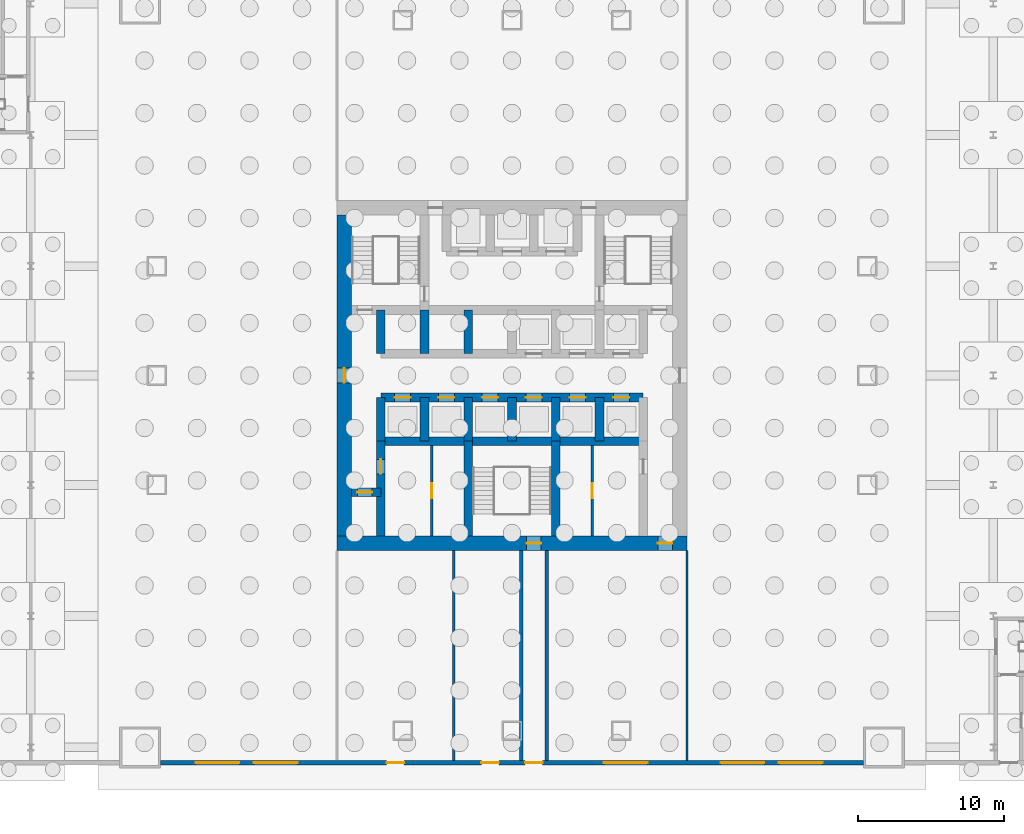
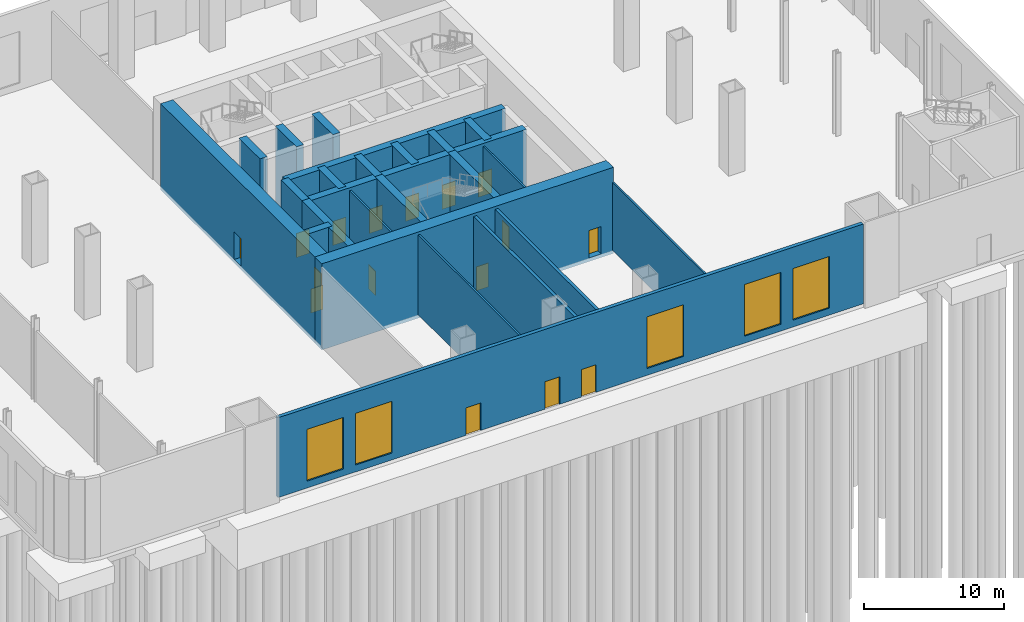
# One storey, part 4 of 10: 24 walls, 16 doors, 5 windows, 21 openings.
"""IFC4 building model written with IfcOpenShell, lengths in metres."""

from ifc_helpers import new_model, si_unit, direction, frame, frame_2d, origin, place, context, subcontext, project, spatial, rectangle, extrude, material, layer, layer_set, type_object, element, fill, save


model = new_model("IFC4")

# Units and contexts
model_context = context("Model", 3, precision=1e-05, world=origin(), true_north=direction((0.0, 1.0)))
body_context = subcontext(model_context, "Body", "Model", "MODEL_VIEW")
ifc_project = project(units=[si_unit("LENGTHUNIT", "METRE"), si_unit("AREAUNIT", "SQUARE_METRE"), si_unit("VOLUMEUNIT", "CUBIC_METRE"), si_unit("PLANEANGLEUNIT", "RADIAN"), si_unit("MASSUNIT", "GRAM", prefix="KILO")], contexts=[model_context])

# Site, building, storey
site_placement = place(None, origin())
site = spatial("IfcSite", under=ifc_project, at=site_placement, CompositionType="ELEMENT")
building_placement = place(site_placement, origin())
building = spatial("IfcBuilding", under=site, at=building_placement, Name="Tarangal Relay Tower", CompositionType="ELEMENT")
storey_placement = place(building_placement, origin())
storey = spatial("IfcBuildingStorey", under=building, at=storey_placement, Name="L00", CompositionType="ELEMENT", Elevation=0.0)

# Wall, openings, doors
ifc_material_1 = material(Name="Concrete fc' 60 MPa", Category="concrete")
ifc_layer_1 = layer(ifc_material_1, 0.60009765625)
ifc_layer_set_1 = layer_set([ifc_layer_1], Name="Core inner wall 600")
wall_type_1 = type_object("IfcWallType", Name="Core inner wall 600", PredefinedType="SHEAR", material=ifc_layer_set_1)
wall_1_placement = place(storey_placement, frame((-9.0, -1.5, -0.300048828125), z_axis=(0.0, 0.0, 1.0), x_axis=(1.0, 0.0, 0.0)))
wall_1 = element("IfcWall", 1, at=wall_1_placement, inside=storey, type_object=wall_type_1, Name="Core wall YM15 L00", PredefinedType="SHEAR", context=body_context, shape_type="SweptSolid", body=[
    extrude(rectangle(XDim=18.0, YDim=0.60009765625, at=frame_2d((9.0, 0.0))), origin(), (0.0, 0.0, 1.0), 7.5),
])
opening_1_placement = place(wall_1_placement, frame((0.949951171875, 0.0, 0.300048828125)))
opening_1 = element("IfcOpeningElement", 2, at=opening_1_placement, cuts=wall_1, Name="Opening LD1", PredefinedType="OPENING", context=body_context, shape_type="SweptSolid", body=[
    extrude(rectangle(XDim=1.10009765625, YDim=2.10009765625, at=frame_2d((0.550048828125, 1.050048828125))), frame((0.0, 0.31005859375, 0.0), z_axis=(0.0, -1.0, 0.0), x_axis=(1.0, 0.0, 0.0)), (0.0, 0.0, 1.0), 0.6201171875),
])
opening_2_placement = place(wall_1_placement, frame((3.949951171875, 0.0, 0.300048828125)))
opening_2 = element("IfcOpeningElement", 3, at=opening_2_placement, cuts=wall_1, Name="Opening LD1", PredefinedType="OPENING", context=body_context, shape_type="SweptSolid", body=[
    extrude(rectangle(XDim=1.10009765625, YDim=2.10009765625, at=frame_2d((0.550048828125, 1.050048828125))), frame((0.0, 0.31005859375, 0.0), z_axis=(0.0, -1.0, 0.0), x_axis=(1.0, 0.0, 0.0)), (0.0, 0.0, 1.0), 0.6201171875),
])
opening_3_placement = place(wall_1_placement, frame((6.949951171875, 0.0, 0.300048828125)))
opening_3 = element("IfcOpeningElement", 4, at=opening_3_placement, cuts=wall_1, Name="Opening LD1", PredefinedType="OPENING", context=body_context, shape_type="SweptSolid", body=[
    extrude(rectangle(XDim=1.10009765625, YDim=2.10009765625, at=frame_2d((0.550048828125, 1.050048828125))), frame((0.0, 0.31005859375, 0.0), z_axis=(0.0, -1.0, 0.0), x_axis=(1.0, 0.0, 0.0)), (0.0, 0.0, 1.0), 0.6201171875),
])
opening_4_placement = place(wall_1_placement, frame((9.949951171875, 0.0, 0.300048828125)))
opening_4 = element("IfcOpeningElement", 5, at=opening_4_placement, cuts=wall_1, Name="Opening LD1", PredefinedType="OPENING", context=body_context, shape_type="SweptSolid", body=[
    extrude(rectangle(XDim=1.10009765625, YDim=2.10009765625, at=frame_2d((0.550048828125, 1.050048828125))), frame((0.0, 0.31005859375, 0.0), z_axis=(0.0, -1.0, 0.0), x_axis=(1.0, 0.0, 0.0)), (0.0, 0.0, 1.0), 0.6201171875),
])
opening_5_placement = place(wall_1_placement, frame((12.949951171875, 0.0, 0.300048828125)))
opening_5 = element("IfcOpeningElement", 6, at=opening_5_placement, cuts=wall_1, Name="Opening LD1", PredefinedType="OPENING", context=body_context, shape_type="SweptSolid", body=[
    extrude(rectangle(XDim=1.10009765625, YDim=2.10009765625, at=frame_2d((0.550048828125, 1.050048828125))), frame((0.0, 0.31005859375, 0.0), z_axis=(0.0, -1.0, 0.0), x_axis=(1.0, 0.0, 0.0)), (0.0, 0.0, 1.0), 0.6201171875),
])
opening_6_placement = place(wall_1_placement, frame((15.949951171875, 0.0, 0.300048828125)))
opening_6 = element("IfcOpeningElement", 7, at=opening_6_placement, cuts=wall_1, Name="Opening LD1", PredefinedType="OPENING", context=body_context, shape_type="SweptSolid", body=[
    extrude(rectangle(XDim=1.10009765625, YDim=2.10009765625, at=frame_2d((0.550048828125, 1.050048828125))), frame((0.0, 0.31005859375, 0.0), z_axis=(0.0, -1.0, 0.0), x_axis=(1.0, 0.0, 0.0)), (0.0, 0.0, 1.0), 0.6201171875),
])
ifc_material_2 = material(Name="Steel door with hardwood frame", Category="steel")
door_type_1 = type_object("IfcDoorType", Name="Lift landing door 1100 x 2100", OperationType="SLIDING_TO_LEFT", PredefinedType="DOOR", material=ifc_material_2)
door_1_placement = place(opening_1_placement, origin())
door_1 = element("IfcDoor", 8, at=door_1_placement, inside=storey, type_object=door_type_1, Name="Lift S1 landing door L00", OperationType="SLIDING_TO_LEFT", OverallHeight=2.10009765625, OverallWidth=1.10009765625, PredefinedType="DOOR", context=body_context, shape_type="SweptSolid", body=[
    extrude(rectangle(XDim=1.10009765625, YDim=2.10009765625, at=frame_2d((0.550048828125, 1.050048828125))), frame((0.0, 0.02490234375, 0.0), z_axis=(0.0, -1.0, 0.0), x_axis=(1.0, 0.0, 0.0)), (0.0, 0.0, 1.0), 0.050048828125),
])
fill(opening_1, door_1)
door_2_placement = place(opening_2_placement, origin())
door_2 = element("IfcDoor", 9, at=door_2_placement, inside=storey, type_object=door_type_1, Name="Lift S2 landing door L00", OperationType="SLIDING_TO_LEFT", OverallHeight=2.10009765625, OverallWidth=1.10009765625, PredefinedType="DOOR", context=body_context, shape_type="SweptSolid", body=[
    extrude(rectangle(XDim=1.10009765625, YDim=2.10009765625, at=frame_2d((0.550048828125, 1.050048828125))), frame((0.0, 0.02490234375, 0.0), z_axis=(0.0, -1.0, 0.0), x_axis=(1.0, 0.0, 0.0)), (0.0, 0.0, 1.0), 0.050048828125),
])
fill(opening_2, door_2)
door_3_placement = place(opening_3_placement, origin())
door_3 = element("IfcDoor", 10, at=door_3_placement, inside=storey, type_object=door_type_1, Name="Lift S3 landing door L00", OperationType="SLIDING_TO_LEFT", OverallHeight=2.10009765625, OverallWidth=1.10009765625, PredefinedType="DOOR", context=body_context, shape_type="SweptSolid", body=[
    extrude(rectangle(XDim=1.10009765625, YDim=2.10009765625, at=frame_2d((0.550048828125, 1.050048828125))), frame((0.0, 0.02490234375, 0.0), z_axis=(0.0, -1.0, 0.0), x_axis=(1.0, 0.0, 0.0)), (0.0, 0.0, 1.0), 0.050048828125),
])
fill(opening_3, door_3)
door_4_placement = place(opening_4_placement, origin())
door_4 = element("IfcDoor", 11, at=door_4_placement, inside=storey, type_object=door_type_1, Name="Lift OH1 landing door L00", OperationType="SLIDING_TO_LEFT", OverallHeight=2.10009765625, OverallWidth=1.10009765625, PredefinedType="DOOR", context=body_context, shape_type="SweptSolid", body=[
    extrude(rectangle(XDim=1.10009765625, YDim=2.10009765625, at=frame_2d((0.550048828125, 1.050048828125))), frame((0.0, 0.02490234375, 0.0), z_axis=(0.0, -1.0, 0.0), x_axis=(1.0, 0.0, 0.0)), (0.0, 0.0, 1.0), 0.050048828125),
])
fill(opening_4, door_4)
door_5_placement = place(opening_5_placement, origin())
door_5 = element("IfcDoor", 12, at=door_5_placement, inside=storey, type_object=door_type_1, Name="Lift OH2 landing door L00", OperationType="SLIDING_TO_LEFT", OverallHeight=2.10009765625, OverallWidth=1.10009765625, PredefinedType="DOOR", context=body_context, shape_type="SweptSolid", body=[
    extrude(rectangle(XDim=1.10009765625, YDim=2.10009765625, at=frame_2d((0.550048828125, 1.050048828125))), frame((0.0, 0.02490234375, 0.0), z_axis=(0.0, -1.0, 0.0), x_axis=(1.0, 0.0, 0.0)), (0.0, 0.0, 1.0), 0.050048828125),
])
fill(opening_5, door_5)
door_6_placement = place(opening_6_placement, origin())
door_6 = element("IfcDoor", 13, at=door_6_placement, inside=storey, type_object=door_type_1, Name="Lift OH3 landing door L00", OperationType="SLIDING_TO_LEFT", OverallHeight=2.10009765625, OverallWidth=1.10009765625, PredefinedType="DOOR", context=body_context, shape_type="SweptSolid", body=[
    extrude(rectangle(XDim=1.10009765625, YDim=2.10009765625, at=frame_2d((0.550048828125, 1.050048828125))), frame((0.0, 0.02490234375, 0.0), z_axis=(0.0, -1.0, 0.0), x_axis=(1.0, 0.0, 0.0)), (0.0, 0.0, 1.0), 0.050048828125),
])
fill(opening_6, door_6)

# Wall
wall_2_placement = place(storey_placement, frame((-9.0, -4.5, -0.300048828125), z_axis=(0.0, 0.0, 1.0), x_axis=(1.0, 0.0, 0.0)))
element("IfcWall", 14, at=wall_2_placement, inside=storey, type_object=wall_type_1, Name="Core wall YM45 L00", PredefinedType="SHEAR", context=body_context, shape_type="SweptSolid", body=[
    extrude(rectangle(XDim=18.0, YDim=0.60009765625, at=frame_2d((9.0, 0.0))), origin(), (0.0, 0.0, 1.0), 7.5),
])

# Wall, opening, door
wall_3_placement = place(storey_placement, frame((-11.0, -8.0, -0.300048828125), z_axis=(0.0, 0.0, 1.0), x_axis=(1.0, 0.0, 0.0)))
wall_3 = element("IfcWall", 15, at=wall_3_placement, inside=storey, type_object=wall_type_1, Name="Core wall YM8 L00", PredefinedType="SHEAR", context=body_context, shape_type="SweptSolid", body=[
    extrude(rectangle(XDim=2.0, YDim=0.60009765625, at=frame_2d((1.0, 0.0))), origin(), (0.0, 0.0, 1.0), 7.5),
])
opening_7_placement = place(wall_3_placement, frame((0.39990234375, 0.0, 0.300048828125)))
opening_7 = element("IfcOpeningElement", 16, at=opening_7_placement, cuts=wall_3, Name="Opening D1", PredefinedType="OPENING", context=body_context, shape_type="SweptSolid", body=[
    extrude(rectangle(XDim=1.0, YDim=2.10009765625, at=frame_2d((0.5, 1.050048828125))), frame((0.0, 0.31005859375, 0.0), z_axis=(0.0, -1.0, 0.0), x_axis=(1.0, 0.0, 0.0)), (0.0, 0.0, 1.0), 0.6201171875),
])
ifc_material_3 = material(Name="Hardwood door", Category="wood")
door_type_2 = type_object("IfcDoorType", Name="WC door 1000 x 2100", OperationType="SINGLE_SWING_LEFT", PredefinedType="DOOR", material=ifc_material_3)
door_7_placement = place(opening_7_placement, origin())
door_7 = element("IfcDoor", 17, at=door_7_placement, inside=storey, type_object=door_type_2, Name="Accessible WC door L00", OperationType="SINGLE_SWING_LEFT", OverallHeight=2.10009765625, OverallWidth=1.0, PredefinedType="DOOR", context=body_context, shape_type="SweptSolid", body=[
    extrude(rectangle(XDim=1.0, YDim=2.10009765625, at=frame_2d((0.5, 1.050048828125))), frame((0.0, 0.02490234375, 0.0), z_axis=(0.0, -1.0, 0.0), x_axis=(1.0, 0.0, 0.0)), (0.0, 0.0, 1.0), 0.050048828125),
])
fill(opening_7, door_7)

# Walls
for number, where, z_axis, x_axis, name in (
    (18, (-9.0, 1.5, -0.300048828125), (0.0, 0.0, 1.0), (0.0, 1.0, 0.0), "Core wall XM9N L00"),
    (19, (-9.0, -4.5, -0.300048828125), (0.0, 0.0, 1.0), (0.0, 1.0, 0.0), "Core wall XM9S L00"),
    (20, (-6.0, 1.5, -0.300048828125), (0.0, 0.0, 1.0), (0.0, 1.0, 0.0), "Core wall XM6N L00"),
    (21, (-3.0, 1.5, -0.300048828125), (0.0, 0.0, 1.0), (0.0, 1.0, 0.0), "Core wall XM3N L00"),
    (22, (-6.0, -4.5, -0.300048828125), (0.0, 0.0, 1.0), (0.0, 1.0, 0.0), "Core wall XM6S L00"),
    (23, (-3.0, -4.5, -0.300048828125), (0.0, 0.0, 1.0), (0.0, 1.0, 0.0), "Core wall XM3S L00"),
    (24, (0.0, -4.5, -0.300048828125), (0.0, 0.0, 1.0), (0.0, 1.0, 0.0), "Core wall X0S L00"),
    (25, (3.0, -4.5, -0.300048828125), (0.0, 0.0, 1.0), (0.0, 1.0, 0.0), "Core wall X3S L00"),
    (26, (6.0, -4.5, -0.300048828125), (0.0, 0.0, 1.0), (0.0, 1.0, 0.0), "Core wall X6S L00"),
):
    element("IfcWall", number, at=place(storey_placement, frame(where, z_axis=z_axis, x_axis=x_axis)), inside=storey, type_object=wall_type_1, Name=name, PredefinedType="SHEAR", context=body_context, shape_type="SweptSolid", body=[
        extrude(rectangle(XDim=3.0, YDim=0.60009765625, at=frame_2d((1.5, 0.0))), origin(), (0.0, 0.0, 1.0), 7.5),
    ])

# Wall, opening, door
wall_4_placement = place(storey_placement, frame((-9.0, -11.0, -0.300048828125), z_axis=(0.0, 0.0, 1.0), x_axis=(0.0, 1.0, 0.0)))
wall_4 = element("IfcWall", 27, at=wall_4_placement, inside=storey, type_object=wall_type_1, Name="Core wall XM9W L00", PredefinedType="SHEAR", context=body_context, shape_type="SweptSolid", body=[
    extrude(rectangle(XDim=6.5, YDim=0.60009765625, at=frame_2d((3.25, 0.0))), origin(), (0.0, 0.0, 1.0), 7.5),
])
opening_8_placement = place(wall_4_placement, frame((4.25, 0.0, 0.300048828125)))
opening_8 = element("IfcOpeningElement", 28, at=opening_8_placement, cuts=wall_4, Name="Opening D1", PredefinedType="OPENING", context=body_context, shape_type="SweptSolid", body=[
    extrude(rectangle(XDim=1.0, YDim=2.10009765625, at=frame_2d((0.5, 1.050048828125))), frame((0.0, 0.31005859375, 0.0), z_axis=(0.0, -1.0, 0.0), x_axis=(1.0, 0.0, 0.0)), (0.0, 0.0, 1.0), 0.6201171875),
])
door_8_placement = place(opening_8_placement, origin())
door_8 = element("IfcDoor", 29, at=door_8_placement, inside=storey, type_object=door_type_2, Name="Male WC door L00", OperationType="SINGLE_SWING_LEFT", OverallHeight=2.10009765625, OverallWidth=1.0, PredefinedType="DOOR", context=body_context, shape_type="SweptSolid", body=[
    extrude(rectangle(XDim=1.0, YDim=2.10009765625, at=frame_2d((0.5, 1.050048828125))), frame((0.0, 0.02490234375, 0.0), z_axis=(0.0, -1.0, 0.0), x_axis=(1.0, 0.0, 0.0)), (0.0, 0.0, 1.0), 0.050048828125),
])
fill(opening_8, door_8)

# Walls
for number, where, z_axis, x_axis, name in (
    (30, (-3.0, -11.0, -0.300048828125), (0.0, 0.0, 1.0), (0.0, 1.0, 0.0), "Core wall XM3W L00"),
    (31, (3.0, -11.0, -0.300048828125), (0.0, 0.0, 1.0), (0.0, 1.0, 0.0), "Core wall X3W L00"),
):
    element("IfcWall", number, at=place(storey_placement, frame(where, z_axis=z_axis, x_axis=x_axis)), inside=storey, type_object=wall_type_1, Name=name, PredefinedType="SHEAR", context=body_context, shape_type="SweptSolid", body=[
        extrude(rectangle(XDim=6.5, YDim=0.60009765625, at=frame_2d((3.25, 0.0))), origin(), (0.0, 0.0, 1.0), 7.5),
    ])

# Wall, openings, doors
ifc_layer_2 = layer(ifc_material_1, 1.0)
ifc_layer_set_2 = layer_set([ifc_layer_2], Name="Core wall 1000")
wall_type_2 = type_object("IfcWallType", Name="Core wall 1000", PredefinedType="SHEAR", material=ifc_layer_set_2)
wall_5_placement = place(storey_placement, frame((12.0, -11.5, -0.300048828125), z_axis=(0.0, 0.0, 1.0), x_axis=(-1.0, 0.0, 0.0)))
wall_5 = element("IfcWall", 32, at=wall_5_placement, inside=storey, type_object=wall_type_2, Name="Core wall S L00", PredefinedType="SHEAR", context=body_context, shape_type="SweptSolid", body=[
    extrude(rectangle(XDim=24.0, YDim=1.0, at=frame_2d((12.0, 0.0))), origin(), (0.0, 0.0, 1.0), 7.5),
])
opening_9_placement = place(wall_5_placement, frame((10.0, 0.0, 0.300048828125)))
opening_9 = element("IfcOpeningElement", 33, at=opening_9_placement, cuts=wall_5, Name="Opening FD1", PredefinedType="OPENING", context=body_context, shape_type="SweptSolid", body=[
    extrude(rectangle(XDim=1.0, YDim=2.10009765625, at=frame_2d((0.5, 1.050048828125))), frame((0.0, 0.510009765625, 0.0), z_axis=(0.0, -1.0, 0.0), x_axis=(1.0, 0.0, 0.0)), (0.0, 0.0, 1.0), 1.02001953125),
])
opening_10_placement = place(wall_5_placement, frame((1.0, 0.0, 0.300048828125)))
opening_10 = element("IfcOpeningElement", 34, at=opening_10_placement, cuts=wall_5, Name="Opening FD3", PredefinedType="OPENING", context=body_context, shape_type="SweptSolid", body=[
    extrude(rectangle(XDim=1.0, YDim=2.39990234375, at=frame_2d((0.5, 1.199951171875))), frame((0.0, 0.510009765625, 0.0), z_axis=(0.0, -1.0, 0.0), x_axis=(1.0, 0.0, 0.0)), (0.0, 0.0, 1.0), 1.02001953125),
])
door_type_3 = type_object("IfcDoorType", Name="Fire door 1000 x 2100", OperationType="SINGLE_SWING_LEFT", PredefinedType="DOOR", material=ifc_material_2)
door_9_placement = place(opening_9_placement, origin())
door_9 = element("IfcDoor", 35, at=door_9_placement, inside=storey, type_object=door_type_3, Name="Stair ST-C door L00", OperationType="SINGLE_SWING_LEFT", OverallHeight=2.10009765625, OverallWidth=1.0, PredefinedType="DOOR", context=body_context, shape_type="SweptSolid", body=[
    extrude(rectangle(XDim=1.0, YDim=2.10009765625, at=frame_2d((0.5, 1.050048828125))), frame((0.0, 0.02490234375, 0.0), z_axis=(0.0, -1.0, 0.0), x_axis=(1.0, 0.0, 0.0)), (0.0, 0.0, 1.0), 0.050048828125),
])
fill(opening_9, door_9)
door_type_4 = type_object("IfcDoorType", Name="Fire door 1000 x 2400 core entry", OperationType="SINGLE_SWING_RIGHT", PredefinedType="DOOR", material=ifc_material_2)
door_10_placement = place(opening_10_placement, origin())
door_10 = element("IfcDoor", 36, at=door_10_placement, inside=storey, type_object=door_type_4, Name="Core entry door south east L00", OperationType="SINGLE_SWING_RIGHT", OverallHeight=2.39990234375, OverallWidth=1.0, PredefinedType="DOOR", context=body_context, shape_type="SweptSolid", body=[
    extrude(rectangle(XDim=1.0, YDim=2.39990234375, at=frame_2d((0.5, 1.199951171875))), frame((0.0, 0.02490234375, 0.0), z_axis=(0.0, -1.0, 0.0), x_axis=(1.0, 0.0, 0.0)), (0.0, 0.0, 1.0), 0.050048828125),
])
fill(opening_10, door_10)

# Wall, opening, door
wall_6_placement = place(storey_placement, frame((-11.5, -11.0, -0.300048828125), z_axis=(0.0, 0.0, 1.0), x_axis=(0.0, 1.0, 0.0)))
wall_6 = element("IfcWall", 37, at=wall_6_placement, inside=storey, type_object=wall_type_2, Name="Core wall W L00", PredefinedType="SHEAR", context=body_context, shape_type="SweptSolid", body=[
    extrude(rectangle(XDim=22.0, YDim=1.0, at=frame_2d((11.0, 0.0))), origin(), (0.0, 0.0, 1.0), 7.5),
])
opening_11_placement = place(wall_6_placement, frame((10.5, 0.0, 0.300048828125)))
opening_11 = element("IfcOpeningElement", 38, at=opening_11_placement, cuts=wall_6, Name="Opening FD3", PredefinedType="OPENING", context=body_context, shape_type="SweptSolid", body=[
    extrude(rectangle(XDim=1.0, YDim=2.39990234375, at=frame_2d((0.5, 1.199951171875))), frame((0.0, 0.510009765625, 0.0), z_axis=(0.0, -1.0, 0.0), x_axis=(1.0, 0.0, 0.0)), (0.0, 0.0, 1.0), 1.02001953125),
])
door_11_placement = place(opening_11_placement, origin())
door_11 = element("IfcDoor", 39, at=door_11_placement, inside=storey, type_object=door_type_4, Name="Core entry door west L00", OperationType="SINGLE_SWING_RIGHT", OverallHeight=2.39990234375, OverallWidth=1.0, PredefinedType="DOOR", context=body_context, shape_type="SweptSolid", body=[
    extrude(rectangle(XDim=1.0, YDim=2.39990234375, at=frame_2d((0.5, 1.199951171875))), frame((0.0, 0.02490234375, 0.0), z_axis=(0.0, -1.0, 0.0), x_axis=(1.0, 0.0, 0.0)), (0.0, 0.0, 1.0), 0.050048828125),
])
fill(opening_11, door_11)

# Walls
ifc_material_4 = material(Name="Gypsum board on steel studs", Category="steel")
ifc_layer_3 = layer(ifc_material_4, 0.14990234375)
ifc_layer_set_3 = layer_set([ifc_layer_3], Name="Partition 150")
wall_type_3 = type_object("IfcWallType", Name="Partition 150", PredefinedType="PARTITIONING", material=ifc_layer_set_3)
wall_7_placement = place(storey_placement, frame((12.0, -12.0, 0.0), z_axis=(0.0, 0.0, 1.0), x_axis=(0.0, -1.0, 0.0)))
element("IfcWall", 40, at=wall_7_placement, inside=storey, type_object=wall_type_3, Name="Partition PT1 L00", PredefinedType="PARTITIONING", context=body_context, shape_type="SweptSolid", body=[
    extrude(rectangle(XDim=14.39990234375, YDim=0.14990234375, at=frame_2d((7.199951171875, 0.0))), origin(), (0.0, 0.0, 1.0), 5.90869140625),
])
wall_8_placement = place(storey_placement, frame((-4.0, -12.0, 0.0), z_axis=(0.0, 0.0, 1.0), x_axis=(0.0, -1.0, 0.0)))
element("IfcWall", 41, at=wall_8_placement, inside=storey, type_object=wall_type_3, Name="Partition PT1 L00", PredefinedType="PARTITIONING", context=body_context, shape_type="SweptSolid", body=[
    extrude(rectangle(XDim=14.39990234375, YDim=0.14990234375, at=frame_2d((7.199951171875, 0.0))), origin(), (0.0, 0.0, 1.0), 6.949951171875),
])

# Wall, opening, door
wall_9_placement = place(storey_placement, frame((-5.5, -11.0, 0.0), z_axis=(0.0, 0.0, 1.0), x_axis=(0.0, 1.0, 0.0)))
wall_9 = element("IfcWall", 42, at=wall_9_placement, inside=storey, type_object=wall_type_3, Name="Partition PT1 L00", PredefinedType="PARTITIONING", context=body_context, shape_type="SweptSolid", body=[
    extrude(rectangle(XDim=6.199951171875, YDim=0.14990234375, at=frame_2d((3.10009765625, 0.0))), origin(), (0.0, 0.0, 1.0), 6.949951171875),
])
opening_12_placement = place(wall_9_placement, frame((2.60009765625, 0.0, 0.0)))
opening_12 = element("IfcOpeningElement", 43, at=opening_12_placement, cuts=wall_9, Name="Opening D1", PredefinedType="OPENING", context=body_context, shape_type="SweptSolid", body=[
    extrude(rectangle(XDim=1.0, YDim=2.10009765625, at=frame_2d((0.5, 1.050048828125))), frame((0.0, 0.0849609375, 0.0), z_axis=(0.0, -1.0, 0.0), x_axis=(1.0, 0.0, 0.0)), (0.0, 0.0, 1.0), 0.169921875),
])
door_12_placement = place(opening_12_placement, origin())
door_12 = element("IfcDoor", 44, at=door_12_placement, inside=storey, type_object=door_type_2, Name="Door D1 to male shower and changing room L00-C7B", OperationType="SINGLE_SWING_LEFT", OverallHeight=2.10009765625, OverallWidth=1.0, PredefinedType="DOOR", context=body_context, shape_type="SweptSolid", body=[
    extrude(rectangle(XDim=1.0, YDim=2.10009765625, at=frame_2d((0.5, 1.050048828125))), frame((0.0, 0.02490234375, 0.0), z_axis=(0.0, -1.0, 0.0), x_axis=(1.0, 0.0, 0.0)), (0.0, 0.0, 1.0), 0.050048828125),
])
fill(opening_12, door_12)

wall_10_placement = place(storey_placement, frame((5.5, -11.0, 0.0), z_axis=(0.0, 0.0, 1.0), x_axis=(0.0, 1.0, 0.0)))
wall_10 = element("IfcWall", 45, at=wall_10_placement, inside=storey, type_object=wall_type_3, Name="Partition PT1 L00", PredefinedType="PARTITIONING", context=body_context, shape_type="SweptSolid", body=[
    extrude(rectangle(XDim=6.199951171875, YDim=0.14990234375, at=frame_2d((3.10009765625, 0.0))), origin(), (0.0, 0.0, 1.0), 6.949951171875),
])
opening_13_placement = place(wall_10_placement, frame((2.60009765625, 0.0, 0.0)))
opening_13 = element("IfcOpeningElement", 46, at=opening_13_placement, cuts=wall_10, Name="Opening D1", PredefinedType="OPENING", context=body_context, shape_type="SweptSolid", body=[
    extrude(rectangle(XDim=1.0, YDim=2.10009765625, at=frame_2d((0.5, 1.050048828125))), frame((0.0, 0.0849609375, 0.0), z_axis=(0.0, -1.0, 0.0), x_axis=(1.0, 0.0, 0.0)), (0.0, 0.0, 1.0), 0.169921875),
])
door_13_placement = place(opening_13_placement, origin())
door_13 = element("IfcDoor", 47, at=door_13_placement, inside=storey, type_object=door_type_2, Name="Door D1 to female shower and changing room L00-C10B", OperationType="SINGLE_SWING_LEFT", OverallHeight=2.10009765625, OverallWidth=1.0, PredefinedType="DOOR", context=body_context, shape_type="SweptSolid", body=[
    extrude(rectangle(XDim=1.0, YDim=2.10009765625, at=frame_2d((0.5, 1.050048828125))), frame((0.0, 0.02490234375, 0.0), z_axis=(0.0, -1.0, 0.0), x_axis=(1.0, 0.0, 0.0)), (0.0, 0.0, 1.0), 0.050048828125),
])
fill(opening_13, door_13)

# Wall, openings, doors, windows
ifc_material_5 = material(Name="Black granite clad concrete wall", Category="masonry")
ifc_layer_4 = layer(ifc_material_5, 0.300048828125)
ifc_layer_set_4 = layer_set([ifc_layer_4], Name="Podium wall 300")
wall_type_4 = type_object("IfcWallType", Name="Podium wall 300", PredefinedType="SOLIDWALL", material=ifc_layer_set_4)
wall_11_placement = place(storey_placement, frame((-24.10009765625, -26.550048828125, 0.0), z_axis=(0.0, 0.0, 1.0), x_axis=(1.0, 0.0, 0.0)))
wall_11 = element("IfcWall", 48, at=wall_11_placement, inside=storey, type_object=wall_type_4, Name="Podium wall Podium S facade L00", PredefinedType="SOLIDWALL", context=body_context, shape_type="SweptSolid", body=[
    extrude(rectangle(XDim=48.2001953125, YDim=0.300048828125, at=frame_2d((24.10009765625, 0.0))), origin(), (0.0, 0.0, 1.0), 6.949951171875),
])
opening_14_placement = place(wall_11_placement, frame((15.5, 0.0, 0.0)))
opening_14 = element("IfcOpeningElement", 49, at=opening_14_placement, cuts=wall_11, Name="Opening ED2", PredefinedType="OPENING", context=body_context, shape_type="SweptSolid", body=[
    extrude(rectangle(XDim=1.199951171875, YDim=2.39990234375, at=frame_2d((0.60009765625, 1.199951171875))), frame((0.0, 0.159912109375, 0.0), z_axis=(0.0, -1.0, 0.0), x_axis=(1.0, 0.0, 0.0)), (0.0, 0.0, 1.0), 0.320068359375),
])
opening_15_placement = place(wall_11_placement, frame((22.0, 0.0, 0.0)))
opening_15 = element("IfcOpeningElement", 50, at=opening_15_placement, cuts=wall_11, Name="Opening ED2", PredefinedType="OPENING", context=body_context, shape_type="SweptSolid", body=[
    extrude(rectangle(XDim=1.199951171875, YDim=2.39990234375, at=frame_2d((0.60009765625, 1.199951171875))), frame((0.0, 0.159912109375, 0.0), z_axis=(0.0, -1.0, 0.0), x_axis=(1.0, 0.0, 0.0)), (0.0, 0.0, 1.0), 0.320068359375),
])
opening_16_placement = place(wall_11_placement, frame((25.0, 0.0, 0.0)))
opening_16 = element("IfcOpeningElement", 51, at=opening_16_placement, cuts=wall_11, Name="Opening ED2", PredefinedType="OPENING", context=body_context, shape_type="SweptSolid", body=[
    extrude(rectangle(XDim=1.199951171875, YDim=2.39990234375, at=frame_2d((0.60009765625, 1.199951171875))), frame((0.0, 0.159912109375, 0.0), z_axis=(0.0, -1.0, 0.0), x_axis=(1.0, 0.0, 0.0)), (0.0, 0.0, 1.0), 0.320068359375),
])
opening_17_placement = place(wall_11_placement, frame((2.39990234375, 0.0, 0.60009765625)))
opening_17 = element("IfcOpeningElement", 52, at=opening_17_placement, cuts=wall_11, Name="Opening WN3", PredefinedType="OPENING", context=body_context, shape_type="SweptSolid", body=[
    extrude(rectangle(XDim=3.0, YDim=4.5, at=frame_2d((1.5, 2.25))), frame((0.0, 0.159912109375, 0.0), z_axis=(0.0, -1.0, 0.0), x_axis=(1.0, 0.0, 0.0)), (0.0, 0.0, 1.0), 0.320068359375),
])
opening_18_placement = place(wall_11_placement, frame((6.39990234375, 0.0, 0.60009765625)))
opening_18 = element("IfcOpeningElement", 53, at=opening_18_placement, cuts=wall_11, Name="Opening WN3", PredefinedType="OPENING", context=body_context, shape_type="SweptSolid", body=[
    extrude(rectangle(XDim=3.0, YDim=4.5, at=frame_2d((1.5, 2.25))), frame((0.0, 0.159912109375, 0.0), z_axis=(0.0, -1.0, 0.0), x_axis=(1.0, 0.0, 0.0)), (0.0, 0.0, 1.0), 0.320068359375),
])
opening_19_placement = place(wall_11_placement, frame((30.39990234375, 0.0, 0.60009765625)))
opening_19 = element("IfcOpeningElement", 54, at=opening_19_placement, cuts=wall_11, Name="Opening WN3", PredefinedType="OPENING", context=body_context, shape_type="SweptSolid", body=[
    extrude(rectangle(XDim=3.0, YDim=4.5, at=frame_2d((1.5, 2.25))), frame((0.0, 0.159912109375, 0.0), z_axis=(0.0, -1.0, 0.0), x_axis=(1.0, 0.0, 0.0)), (0.0, 0.0, 1.0), 0.320068359375),
])
opening_20_placement = place(wall_11_placement, frame((38.39990234375, 0.0, 0.60009765625)))
opening_20 = element("IfcOpeningElement", 55, at=opening_20_placement, cuts=wall_11, Name="Opening WN3", PredefinedType="OPENING", context=body_context, shape_type="SweptSolid", body=[
    extrude(rectangle(XDim=3.0, YDim=4.5, at=frame_2d((1.5, 2.25))), frame((0.0, 0.159912109375, 0.0), z_axis=(0.0, -1.0, 0.0), x_axis=(1.0, 0.0, 0.0)), (0.0, 0.0, 1.0), 0.320068359375),
])
opening_21_placement = place(wall_11_placement, frame((42.39990234375, 0.0, 0.60009765625)))
opening_21 = element("IfcOpeningElement", 56, at=opening_21_placement, cuts=wall_11, Name="Opening WN3", PredefinedType="OPENING", context=body_context, shape_type="SweptSolid", body=[
    extrude(rectangle(XDim=3.0, YDim=4.5, at=frame_2d((1.5, 2.25))), frame((0.0, 0.159912109375, 0.0), z_axis=(0.0, -1.0, 0.0), x_axis=(1.0, 0.0, 0.0)), (0.0, 0.0, 1.0), 0.320068359375),
])
door_type_5 = type_object("IfcDoorType", Name="Exit door 1200 x 2400", OperationType="SINGLE_SWING_RIGHT", PredefinedType="DOOR", material=ifc_material_2)
door_14_placement = place(opening_14_placement, frame((1.199951171875, 0.0, 0.0), z_axis=(0.0, 0.0, 1.0), x_axis=(-1.0, 0.0, 0.0)))
door_14 = element("IfcDoor", 57, at=door_14_placement, inside=storey, type_object=door_type_5, Name="Exit door ED2 podium S face", OperationType="SINGLE_SWING_RIGHT", OverallHeight=2.39990234375, OverallWidth=1.199951171875, PredefinedType="DOOR", context=body_context, shape_type="SweptSolid", body=[
    extrude(rectangle(XDim=1.199951171875, YDim=2.39990234375, at=frame_2d((0.60009765625, 1.199951171875))), frame((0.0, 0.02490234375, 0.0), z_axis=(0.0, -1.0, 0.0), x_axis=(1.0, 0.0, 0.0)), (0.0, 0.0, 1.0), 0.050048828125),
])
fill(opening_14, door_14)
door_15_placement = place(opening_15_placement, frame((1.199951171875, 0.0, 0.0), z_axis=(0.0, 0.0, 1.0), x_axis=(-1.0, 0.0, 0.0)))
door_15 = element("IfcDoor", 58, at=door_15_placement, inside=storey, type_object=door_type_5, Name="Exit door ED2 podium S face", OperationType="SINGLE_SWING_RIGHT", OverallHeight=2.39990234375, OverallWidth=1.199951171875, PredefinedType="DOOR", context=body_context, shape_type="SweptSolid", body=[
    extrude(rectangle(XDim=1.199951171875, YDim=2.39990234375, at=frame_2d((0.60009765625, 1.199951171875))), frame((0.0, 0.02490234375, 0.0), z_axis=(0.0, -1.0, 0.0), x_axis=(1.0, 0.0, 0.0)), (0.0, 0.0, 1.0), 0.050048828125),
])
fill(opening_15, door_15)
door_16_placement = place(opening_16_placement, frame((1.199951171875, 0.0, 0.0), z_axis=(0.0, 0.0, 1.0), x_axis=(-1.0, 0.0, 0.0)))
door_16 = element("IfcDoor", 59, at=door_16_placement, inside=storey, type_object=door_type_5, Name="Exit door ED2 podium S face", OperationType="SINGLE_SWING_RIGHT", OverallHeight=2.39990234375, OverallWidth=1.199951171875, PredefinedType="DOOR", context=body_context, shape_type="SweptSolid", body=[
    extrude(rectangle(XDim=1.199951171875, YDim=2.39990234375, at=frame_2d((0.60009765625, 1.199951171875))), frame((0.0, 0.02490234375, 0.0), z_axis=(0.0, -1.0, 0.0), x_axis=(1.0, 0.0, 0.0)), (0.0, 0.0, 1.0), 0.050048828125),
])
fill(opening_16, door_16)
ifc_material_6 = material(Name="Dark tinted double glazing in black aluminium frame", Category="aluminium")
window_type = type_object("IfcWindowType", Name="Shopfront window 3000 x 4500", PartitioningType="SINGLE_PANEL", PredefinedType="WINDOW", material=ifc_material_6)
window_1_placement = place(opening_17_placement, origin())
window_1 = element("IfcWindow", 60, at=window_1_placement, inside=storey, type_object=window_type, Name="Shopfront window WN3 Podium S facade L00", OverallHeight=4.5, OverallWidth=3.0, PartitioningType="SINGLE_PANEL", PredefinedType="WINDOW", context=body_context, shape_type="SweptSolid", body=[
    extrude(rectangle(XDim=3.0, YDim=4.5, at=frame_2d((1.5, 2.25))), frame((0.0, 0.030029296875, 0.0), z_axis=(0.0, -1.0, 0.0), x_axis=(1.0, 0.0, 0.0)), (0.0, 0.0, 1.0), 0.06005859375),
])
fill(opening_17, window_1)
window_2_placement = place(opening_18_placement, origin())
window_2 = element("IfcWindow", 61, at=window_2_placement, inside=storey, type_object=window_type, Name="Shopfront window WN3 Podium S facade L00", OverallHeight=4.5, OverallWidth=3.0, PartitioningType="SINGLE_PANEL", PredefinedType="WINDOW", context=body_context, shape_type="SweptSolid", body=[
    extrude(rectangle(XDim=3.0, YDim=4.5, at=frame_2d((1.5, 2.25))), frame((0.0, 0.030029296875, 0.0), z_axis=(0.0, -1.0, 0.0), x_axis=(1.0, 0.0, 0.0)), (0.0, 0.0, 1.0), 0.06005859375),
])
fill(opening_18, window_2)
window_3_placement = place(opening_19_placement, origin())
window_3 = element("IfcWindow", 62, at=window_3_placement, inside=storey, type_object=window_type, Name="Shopfront window WN3 Podium S facade L00", OverallHeight=4.5, OverallWidth=3.0, PartitioningType="SINGLE_PANEL", PredefinedType="WINDOW", context=body_context, shape_type="SweptSolid", body=[
    extrude(rectangle(XDim=3.0, YDim=4.5, at=frame_2d((1.5, 2.25))), frame((0.0, 0.030029296875, 0.0), z_axis=(0.0, -1.0, 0.0), x_axis=(1.0, 0.0, 0.0)), (0.0, 0.0, 1.0), 0.06005859375),
])
fill(opening_19, window_3)
window_4_placement = place(opening_20_placement, origin())
window_4 = element("IfcWindow", 63, at=window_4_placement, inside=storey, type_object=window_type, Name="Shopfront window WN3 Podium S facade L00", OverallHeight=4.5, OverallWidth=3.0, PartitioningType="SINGLE_PANEL", PredefinedType="WINDOW", context=body_context, shape_type="SweptSolid", body=[
    extrude(rectangle(XDim=3.0, YDim=4.5, at=frame_2d((1.5, 2.25))), frame((0.0, 0.030029296875, 0.0), z_axis=(0.0, -1.0, 0.0), x_axis=(1.0, 0.0, 0.0)), (0.0, 0.0, 1.0), 0.06005859375),
])
fill(opening_20, window_4)
window_5_placement = place(opening_21_placement, origin())
window_5 = element("IfcWindow", 64, at=window_5_placement, inside=storey, type_object=window_type, Name="Shopfront window WN3 Podium S facade L00", OverallHeight=4.5, OverallWidth=3.0, PartitioningType="SINGLE_PANEL", PredefinedType="WINDOW", context=body_context, shape_type="SweptSolid", body=[
    extrude(rectangle(XDim=3.0, YDim=4.5, at=frame_2d((1.5, 2.25))), frame((0.0, 0.030029296875, 0.0), z_axis=(0.0, -1.0, 0.0), x_axis=(1.0, 0.0, 0.0)), (0.0, 0.0, 1.0), 0.06005859375),
])
fill(opening_21, window_5)

# Walls
ifc_material_7 = material(Name="Concrete blockwork", Category="masonry")
ifc_layer_5 = layer(ifc_material_7, 0.25)
ifc_layer_set_5 = layer_set([ifc_layer_5], Name="Stair enclosure wall 250")
wall_type_5 = type_object("IfcWallType", Name="Stair enclosure wall 250", PredefinedType="SOLIDWALL", material=ifc_layer_set_5)
for number, where, z_axis, x_axis, name in (
    (65, (0.625, -12.0, 0.0), (0.0, 0.0, 1.0), (0.0, -1.0, 0.0), "Exit passage wall ST-C L00"),
    (66, (2.375, -12.0, 0.0), (0.0, 0.0, 1.0), (0.0, -1.0, 0.0), "Exit passage wall ST-C L00"),
):
    element("IfcWall", number, at=place(storey_placement, frame(where, z_axis=z_axis, x_axis=x_axis)), inside=storey, type_object=wall_type_5, Name=name, PredefinedType="SOLIDWALL", context=body_context, shape_type="SweptSolid", body=[
        extrude(rectangle(XDim=14.39990234375, YDim=0.25, at=frame_2d((7.199951171875, 0.0))), origin(), (0.0, 0.0, 1.0), 6.949951171875),
    ])

save(model, "model.ifc")
